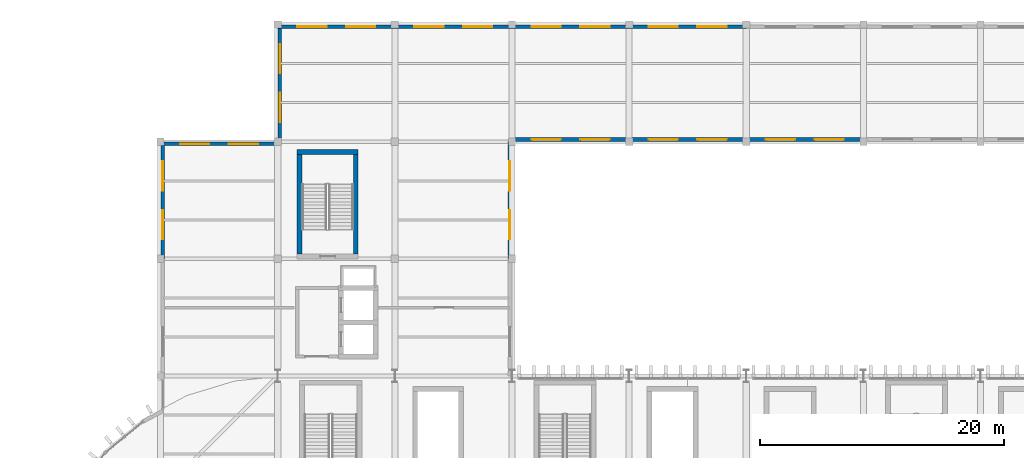
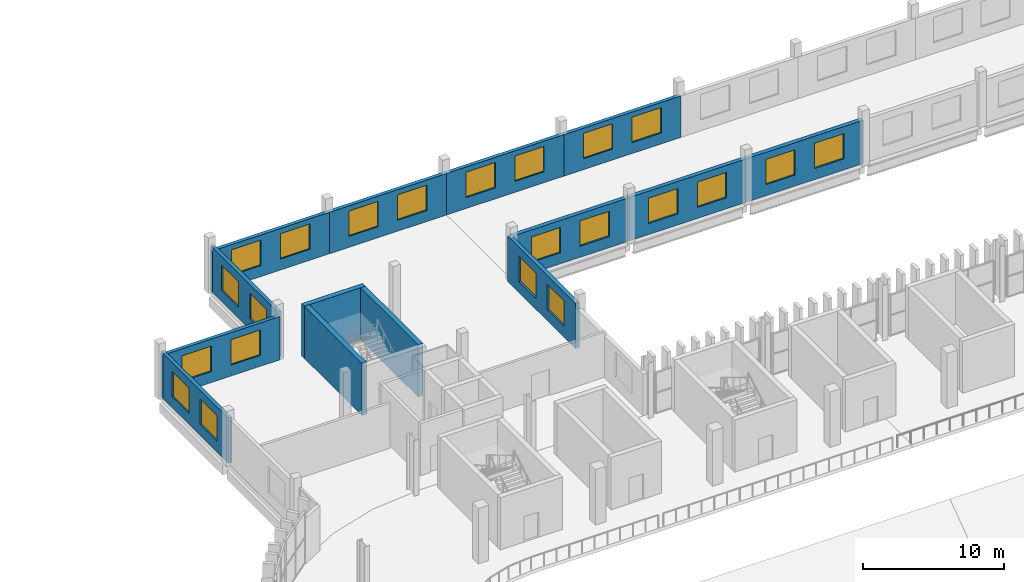
# One storey, part 67 of 99: 22 windows, 14 walls, 22 openings.
"""IFC4 building model written with IfcOpenShell, lengths in metres."""

from ifc_helpers import new_model, si_unit, direction, frame, frame_2d, origin, place, context, subcontext, project, spatial, rectangle, extrude, material, layer, layer_set, type_object, element, fill, save


model = new_model("IFC4")

# Units and contexts
model_context = context("Model", 3, precision=1e-05, world=origin(), true_north=direction((0.0, 1.0)))
body_context = subcontext(model_context, "Body", "Model", "MODEL_VIEW")
ifc_project = project(units=[si_unit("LENGTHUNIT", "METRE"), si_unit("AREAUNIT", "SQUARE_METRE"), si_unit("VOLUMEUNIT", "CUBIC_METRE"), si_unit("PLANEANGLEUNIT", "RADIAN"), si_unit("MASSUNIT", "GRAM", prefix="KILO")], contexts=[model_context])

# Site, building, storey
site_placement = place(None, origin())
site = spatial("IfcSite", under=ifc_project, at=site_placement, CompositionType="ELEMENT")
building_placement = place(site_placement, origin())
building = spatial("IfcBuilding", under=site, at=building_placement, Name="Caelomonte Colonnade Arena", CompositionType="ELEMENT")
storey_placement = place(building_placement, frame((0.0, 0.0, 4.800048828125)))
storey = spatial("IfcBuildingStorey", under=building, at=storey_placement, Name="L01", CompositionType="ELEMENT", Elevation=4.800048828125)

# Wall, openings, windows
ifc_material_1 = material(Name="Precast concrete C40/50", Category="concrete")
ifc_layer_1 = layer(ifc_material_1, 0.2900390625)
ifc_layer_set_1 = layer_set([ifc_layer_1], Name="Precast concrete C40/50")
wall_type_1 = type_object("IfcWallType", Name="ENV-WL-EXT29", PredefinedType="SOLIDWALL", material=ifc_layer_set_1)
wall_1_placement = place(storey_placement, frame((115.199951171875, 143.820068359375, 0.0), z_axis=(0.0, 0.0, 1.0), x_axis=(-1.0, 0.0, 0.0)))
wall_1 = element("IfcWall", 1, at=wall_1_placement, inside=storey, type_object=wall_type_1, Name="L01 exterior wall EW-L01-0214", PredefinedType="SOLIDWALL", context=body_context, shape_type="SweptSolid", body=[
    extrude(rectangle(XDim=9.599853515625, YDim=0.2900390625, at=frame_2d((4.7998046875, 0.0))), origin(), (0.0, 0.0, 1.0), 3.593017578125),
])
opening_1_placement = place(wall_1_placement, frame((4.0, 0.0, 0.949951171875), z_axis=(0.0, 0.0, 1.0), x_axis=(-1.0, 0.0, 0.0)))
opening_1 = element("IfcOpeningElement", 2, at=opening_1_placement, cuts=wall_1, Name="Opening WN-04", PredefinedType="OPENING", context=body_context, shape_type="SweptSolid", body=[
    extrude(rectangle(XDim=2.39990234375, YDim=2.199951171875, at=frame_2d((1.199951171875, 1.10009765625))), frame((0.0, 0.155029296875, 0.0), z_axis=(0.0, -1.0, 0.0), x_axis=(1.0, 0.0, 0.0)), (0.0, 0.0, 1.0), 0.31005859375),
])
opening_2_placement = place(wall_1_placement, frame((8.0, 0.0, 0.949951171875), z_axis=(0.0, 0.0, 1.0), x_axis=(-1.0, 0.0, 0.0)))
opening_2 = element("IfcOpeningElement", 3, at=opening_2_placement, cuts=wall_1, Name="Opening WN-04", PredefinedType="OPENING", context=body_context, shape_type="SweptSolid", body=[
    extrude(rectangle(XDim=2.39990234375, YDim=2.199951171875, at=frame_2d((1.199951171875, 1.10009765625))), frame((0.0, 0.155029296875, 0.0), z_axis=(0.0, -1.0, 0.0), x_axis=(1.0, 0.0, 0.0)), (0.0, 0.0, 1.0), 0.31005859375),
])
ifc_material_2 = material(Name="Solar-control bronze low-E double glazing", Category="glass")
window_type = type_object("IfcWindowType", Name="ENV-WN-V4A", PartitioningType="DOUBLE_PANEL_VERTICAL", PredefinedType="WINDOW", material=ifc_material_2)
window_1_placement = place(opening_1_placement, origin())
window_1 = element("IfcWindow", 4, at=window_1_placement, inside=storey, type_object=window_type, Name="L01 facade window 124", OverallHeight=2.199951171875, OverallWidth=2.39990234375, PartitioningType="SINGLE_PANEL", PredefinedType="WINDOW", context=body_context, shape_type="SweptSolid", body=[
    extrude(rectangle(XDim=2.39990234375, YDim=2.199951171875, at=frame_2d((1.199951171875, 1.10009765625))), frame((0.0, 0.030029296875, 0.0), z_axis=(0.0, -1.0, 0.0), x_axis=(1.0, 0.0, 0.0)), (0.0, 0.0, 1.0), 0.06005859375),
])
fill(opening_1, window_1)
window_2_placement = place(opening_2_placement, origin())
window_2 = element("IfcWindow", 5, at=window_2_placement, inside=storey, type_object=window_type, Name="L01 facade window 125", OverallHeight=2.199951171875, OverallWidth=2.39990234375, PartitioningType="SINGLE_PANEL", PredefinedType="WINDOW", context=body_context, shape_type="SweptSolid", body=[
    extrude(rectangle(XDim=2.39990234375, YDim=2.199951171875, at=frame_2d((1.199951171875, 1.10009765625))), frame((0.0, 0.030029296875, 0.0), z_axis=(0.0, -1.0, 0.0), x_axis=(1.0, 0.0, 0.0)), (0.0, 0.0, 1.0), 0.06005859375),
])
fill(opening_2, window_2)

wall_2_placement = place(storey_placement, frame((105.60009765625, 143.820068359375, 0.0), z_axis=(0.0, 0.0, 1.0), x_axis=(-1.0, 0.0, 0.0)))
wall_2 = element("IfcWall", 6, at=wall_2_placement, inside=storey, type_object=wall_type_1, Name="L01 exterior wall EW-L01-0215", PredefinedType="SOLIDWALL", context=body_context, shape_type="SweptSolid", body=[
    extrude(rectangle(XDim=9.60009765625, YDim=0.2900390625, at=frame_2d((4.800048828125, 0.0))), origin(), (0.0, 0.0, 1.0), 3.593017578125),
])
opening_3_placement = place(wall_2_placement, frame((4.0, 0.0, 0.949951171875), z_axis=(0.0, 0.0, 1.0), x_axis=(-1.0, 0.0, 0.0)))
opening_3 = element("IfcOpeningElement", 7, at=opening_3_placement, cuts=wall_2, Name="Opening WN-04", PredefinedType="OPENING", context=body_context, shape_type="SweptSolid", body=[
    extrude(rectangle(XDim=2.39990234375, YDim=2.199951171875, at=frame_2d((1.199951171875, 1.10009765625))), frame((0.0, 0.155029296875, 0.0), z_axis=(0.0, -1.0, 0.0), x_axis=(1.0, 0.0, 0.0)), (0.0, 0.0, 1.0), 0.31005859375),
])
opening_4_placement = place(wall_2_placement, frame((8.0, 0.0, 0.949951171875), z_axis=(0.0, 0.0, 1.0), x_axis=(-1.0, 0.0, 0.0)))
opening_4 = element("IfcOpeningElement", 8, at=opening_4_placement, cuts=wall_2, Name="Opening WN-04", PredefinedType="OPENING", context=body_context, shape_type="SweptSolid", body=[
    extrude(rectangle(XDim=2.39990234375, YDim=2.199951171875, at=frame_2d((1.199951171875, 1.10009765625))), frame((0.0, 0.155029296875, 0.0), z_axis=(0.0, -1.0, 0.0), x_axis=(1.0, 0.0, 0.0)), (0.0, 0.0, 1.0), 0.31005859375),
])
window_3_placement = place(opening_3_placement, origin())
window_3 = element("IfcWindow", 9, at=window_3_placement, inside=storey, type_object=window_type, Name="L01 facade window 126", OverallHeight=2.199951171875, OverallWidth=2.39990234375, PartitioningType="SINGLE_PANEL", PredefinedType="WINDOW", context=body_context, shape_type="SweptSolid", body=[
    extrude(rectangle(XDim=2.39990234375, YDim=2.199951171875, at=frame_2d((1.199951171875, 1.10009765625))), frame((0.0, 0.030029296875, 0.0), z_axis=(0.0, -1.0, 0.0), x_axis=(1.0, 0.0, 0.0)), (0.0, 0.0, 1.0), 0.06005859375),
])
fill(opening_3, window_3)
window_4_placement = place(opening_4_placement, origin())
window_4 = element("IfcWindow", 10, at=window_4_placement, inside=storey, type_object=window_type, Name="L01 facade window 127", OverallHeight=2.199951171875, OverallWidth=2.39990234375, PartitioningType="SINGLE_PANEL", PredefinedType="WINDOW", context=body_context, shape_type="SweptSolid", body=[
    extrude(rectangle(XDim=2.39990234375, YDim=2.199951171875, at=frame_2d((1.199951171875, 1.10009765625))), frame((0.0, 0.030029296875, 0.0), z_axis=(0.0, -1.0, 0.0), x_axis=(1.0, 0.0, 0.0)), (0.0, 0.0, 1.0), 0.06005859375),
])
fill(opening_4, window_4)

wall_3_placement = place(storey_placement, frame((96.0, 143.820068359375, 0.0), z_axis=(0.0, 0.0, 1.0), x_axis=(-1.0, 0.0, 0.0)))
wall_3 = element("IfcWall", 11, at=wall_3_placement, inside=storey, type_object=wall_type_1, Name="L01 exterior wall EW-L01-0216", PredefinedType="SOLIDWALL", context=body_context, shape_type="SweptSolid", body=[
    extrude(rectangle(XDim=9.60009765625, YDim=0.2900390625, at=frame_2d((4.800048828125, 0.0))), origin(), (0.0, 0.0, 1.0), 3.593017578125),
])
opening_5_placement = place(wall_3_placement, frame((4.0, 0.0, 0.949951171875), z_axis=(0.0, 0.0, 1.0), x_axis=(-1.0, 0.0, 0.0)))
opening_5 = element("IfcOpeningElement", 12, at=opening_5_placement, cuts=wall_3, Name="Opening WN-04", PredefinedType="OPENING", context=body_context, shape_type="SweptSolid", body=[
    extrude(rectangle(XDim=2.39990234375, YDim=2.199951171875, at=frame_2d((1.199951171875, 1.10009765625))), frame((0.0, 0.155029296875, 0.0), z_axis=(0.0, -1.0, 0.0), x_axis=(1.0, 0.0, 0.0)), (0.0, 0.0, 1.0), 0.31005859375),
])
opening_6_placement = place(wall_3_placement, frame((8.0, 0.0, 0.949951171875), z_axis=(0.0, 0.0, 1.0), x_axis=(-1.0, 0.0, 0.0)))
opening_6 = element("IfcOpeningElement", 13, at=opening_6_placement, cuts=wall_3, Name="Opening WN-04", PredefinedType="OPENING", context=body_context, shape_type="SweptSolid", body=[
    extrude(rectangle(XDim=2.39990234375, YDim=2.199951171875, at=frame_2d((1.199951171875, 1.10009765625))), frame((0.0, 0.155029296875, 0.0), z_axis=(0.0, -1.0, 0.0), x_axis=(1.0, 0.0, 0.0)), (0.0, 0.0, 1.0), 0.31005859375),
])
window_5_placement = place(opening_5_placement, origin())
window_5 = element("IfcWindow", 14, at=window_5_placement, inside=storey, type_object=window_type, Name="L01 facade window 128", OverallHeight=2.199951171875, OverallWidth=2.39990234375, PartitioningType="SINGLE_PANEL", PredefinedType="WINDOW", context=body_context, shape_type="SweptSolid", body=[
    extrude(rectangle(XDim=2.39990234375, YDim=2.199951171875, at=frame_2d((1.199951171875, 1.10009765625))), frame((0.0, 0.030029296875, 0.0), z_axis=(0.0, -1.0, 0.0), x_axis=(1.0, 0.0, 0.0)), (0.0, 0.0, 1.0), 0.06005859375),
])
fill(opening_5, window_5)
window_6_placement = place(opening_6_placement, origin())
window_6 = element("IfcWindow", 15, at=window_6_placement, inside=storey, type_object=window_type, Name="L01 facade window 129", OverallHeight=2.199951171875, OverallWidth=2.39990234375, PartitioningType="SINGLE_PANEL", PredefinedType="WINDOW", context=body_context, shape_type="SweptSolid", body=[
    extrude(rectangle(XDim=2.39990234375, YDim=2.199951171875, at=frame_2d((1.199951171875, 1.10009765625))), frame((0.0, 0.030029296875, 0.0), z_axis=(0.0, -1.0, 0.0), x_axis=(1.0, 0.0, 0.0)), (0.0, 0.0, 1.0), 0.06005859375),
])
fill(opening_6, window_6)

wall_4_placement = place(storey_placement, frame((86.39990234375, 143.820068359375, 0.0), z_axis=(0.0, 0.0, 1.0), x_axis=(-1.0, 0.0, 0.0)))
wall_4 = element("IfcWall", 16, at=wall_4_placement, inside=storey, type_object=wall_type_1, Name="L01 exterior wall EW-L01-0217", PredefinedType="SOLIDWALL", context=body_context, shape_type="SweptSolid", body=[
    extrude(rectangle(XDim=9.599853515625, YDim=0.2900390625, at=frame_2d((4.7998046875, 0.0))), origin(), (0.0, 0.0, 1.0), 3.593017578125),
])
opening_7_placement = place(wall_4_placement, frame((4.0, 0.0, 0.949951171875), z_axis=(0.0, 0.0, 1.0), x_axis=(-1.0, 0.0, 0.0)))
opening_7 = element("IfcOpeningElement", 17, at=opening_7_placement, cuts=wall_4, Name="Opening WN-04", PredefinedType="OPENING", context=body_context, shape_type="SweptSolid", body=[
    extrude(rectangle(XDim=2.39990234375, YDim=2.199951171875, at=frame_2d((1.199951171875, 1.10009765625))), frame((0.0, 0.155029296875, 0.0), z_axis=(0.0, -1.0, 0.0), x_axis=(1.0, 0.0, 0.0)), (0.0, 0.0, 1.0), 0.31005859375),
])
opening_8_placement = place(wall_4_placement, frame((8.0, 0.0, 0.949951171875), z_axis=(0.0, 0.0, 1.0), x_axis=(-1.0, 0.0, 0.0)))
opening_8 = element("IfcOpeningElement", 18, at=opening_8_placement, cuts=wall_4, Name="Opening WN-04", PredefinedType="OPENING", context=body_context, shape_type="SweptSolid", body=[
    extrude(rectangle(XDim=2.39990234375, YDim=2.199951171875, at=frame_2d((1.199951171875, 1.10009765625))), frame((0.0, 0.155029296875, 0.0), z_axis=(0.0, -1.0, 0.0), x_axis=(1.0, 0.0, 0.0)), (0.0, 0.0, 1.0), 0.31005859375),
])
window_7_placement = place(opening_7_placement, origin())
window_7 = element("IfcWindow", 19, at=window_7_placement, inside=storey, type_object=window_type, Name="L01 facade window 130", OverallHeight=2.199951171875, OverallWidth=2.39990234375, PartitioningType="SINGLE_PANEL", PredefinedType="WINDOW", context=body_context, shape_type="SweptSolid", body=[
    extrude(rectangle(XDim=2.39990234375, YDim=2.199951171875, at=frame_2d((1.199951171875, 1.10009765625))), frame((0.0, 0.030029296875, 0.0), z_axis=(0.0, -1.0, 0.0), x_axis=(1.0, 0.0, 0.0)), (0.0, 0.0, 1.0), 0.06005859375),
])
fill(opening_7, window_7)
window_8_placement = place(opening_8_placement, origin())
window_8 = element("IfcWindow", 20, at=window_8_placement, inside=storey, type_object=window_type, Name="L01 facade window 131", OverallHeight=2.199951171875, OverallWidth=2.39990234375, PartitioningType="SINGLE_PANEL", PredefinedType="WINDOW", context=body_context, shape_type="SweptSolid", body=[
    extrude(rectangle(XDim=2.39990234375, YDim=2.199951171875, at=frame_2d((1.199951171875, 1.10009765625))), frame((0.0, 0.030029296875, 0.0), z_axis=(0.0, -1.0, 0.0), x_axis=(1.0, 0.0, 0.0)), (0.0, 0.0, 1.0), 0.06005859375),
])
fill(opening_8, window_8)

wall_5_placement = place(storey_placement, frame((76.97998046875, 144.0, 0.0), z_axis=(0.0, 0.0, 1.0), x_axis=(0.0, -1.0, 0.0)))
wall_5 = element("IfcWall", 21, at=wall_5_placement, inside=storey, type_object=wall_type_1, Name="L01 exterior wall EW-L01-0218", PredefinedType="SOLIDWALL", context=body_context, shape_type="SweptSolid", body=[
    extrude(rectangle(XDim=9.60009765625, YDim=0.2900390625, at=frame_2d((4.800048828125, 0.0))), origin(), (0.0, 0.0, 1.0), 3.912841796875),
])
opening_9_placement = place(wall_5_placement, frame((4.0, 0.0, 0.949951171875), z_axis=(0.0, 0.0, 1.0), x_axis=(-1.0, 0.0, 0.0)))
opening_9 = element("IfcOpeningElement", 22, at=opening_9_placement, cuts=wall_5, Name="Opening WN-04", PredefinedType="OPENING", context=body_context, shape_type="SweptSolid", body=[
    extrude(rectangle(XDim=2.39990234375, YDim=2.199951171875, at=frame_2d((1.199951171875, 1.10009765625))), frame((0.0, 0.155029296875, 0.0), z_axis=(0.0, -1.0, 0.0), x_axis=(1.0, 0.0, 0.0)), (0.0, 0.0, 1.0), 0.31005859375),
])
opening_10_placement = place(wall_5_placement, frame((8.0, 0.0, 0.949951171875), z_axis=(0.0, 0.0, 1.0), x_axis=(-1.0, 0.0, 0.0)))
opening_10 = element("IfcOpeningElement", 23, at=opening_10_placement, cuts=wall_5, Name="Opening WN-04", PredefinedType="OPENING", context=body_context, shape_type="SweptSolid", body=[
    extrude(rectangle(XDim=2.39990234375, YDim=2.199951171875, at=frame_2d((1.199951171875, 1.10009765625))), frame((0.0, 0.155029296875, 0.0), z_axis=(0.0, -1.0, 0.0), x_axis=(1.0, 0.0, 0.0)), (0.0, 0.0, 1.0), 0.31005859375),
])
window_9_placement = place(opening_9_placement, origin())
window_9 = element("IfcWindow", 24, at=window_9_placement, inside=storey, type_object=window_type, Name="L01 facade window 132", OverallHeight=2.199951171875, OverallWidth=2.39990234375, PartitioningType="SINGLE_PANEL", PredefinedType="WINDOW", context=body_context, shape_type="SweptSolid", body=[
    extrude(rectangle(XDim=2.39990234375, YDim=2.199951171875, at=frame_2d((1.199951171875, 1.10009765625))), frame((0.0, 0.030029296875, 0.0), z_axis=(0.0, -1.0, 0.0), x_axis=(1.0, 0.0, 0.0)), (0.0, 0.0, 1.0), 0.06005859375),
])
fill(opening_9, window_9)
window_10_placement = place(opening_10_placement, origin())
window_10 = element("IfcWindow", 25, at=window_10_placement, inside=storey, type_object=window_type, Name="L01 facade window 133", OverallHeight=2.199951171875, OverallWidth=2.39990234375, PartitioningType="SINGLE_PANEL", PredefinedType="WINDOW", context=body_context, shape_type="SweptSolid", body=[
    extrude(rectangle(XDim=2.39990234375, YDim=2.199951171875, at=frame_2d((1.199951171875, 1.10009765625))), frame((0.0, 0.030029296875, 0.0), z_axis=(0.0, -1.0, 0.0), x_axis=(1.0, 0.0, 0.0)), (0.0, 0.0, 1.0), 0.06005859375),
])
fill(opening_10, window_10)

wall_6_placement = place(storey_placement, frame((76.800048828125, 134.219970703125, 0.0), z_axis=(0.0, 0.0, 1.0), x_axis=(-1.0, 0.0, 0.0)))
wall_6 = element("IfcWall", 26, at=wall_6_placement, inside=storey, type_object=wall_type_1, Name="L01 exterior wall EW-L01-0219", PredefinedType="SOLIDWALL", context=body_context, shape_type="SweptSolid", body=[
    extrude(rectangle(XDim=9.60009765625, YDim=0.2900390625, at=frame_2d((4.800048828125, 0.0))), origin(), (0.0, 0.0, 1.0), 3.758056640625),
])
opening_11_placement = place(wall_6_placement, frame((4.0, 0.0, 0.949951171875), z_axis=(0.0, 0.0, 1.0), x_axis=(-1.0, 0.0, 0.0)))
opening_11 = element("IfcOpeningElement", 27, at=opening_11_placement, cuts=wall_6, Name="Opening WN-04", PredefinedType="OPENING", context=body_context, shape_type="SweptSolid", body=[
    extrude(rectangle(XDim=2.39990234375, YDim=2.199951171875, at=frame_2d((1.199951171875, 1.10009765625))), frame((0.0, 0.155029296875, 0.0), z_axis=(0.0, -1.0, 0.0), x_axis=(1.0, 0.0, 0.0)), (0.0, 0.0, 1.0), 0.31005859375),
])
opening_12_placement = place(wall_6_placement, frame((8.0, 0.0, 0.949951171875), z_axis=(0.0, 0.0, 1.0), x_axis=(-1.0, 0.0, 0.0)))
opening_12 = element("IfcOpeningElement", 28, at=opening_12_placement, cuts=wall_6, Name="Opening WN-04", PredefinedType="OPENING", context=body_context, shape_type="SweptSolid", body=[
    extrude(rectangle(XDim=2.39990234375, YDim=2.199951171875, at=frame_2d((1.199951171875, 1.10009765625))), frame((0.0, 0.155029296875, 0.0), z_axis=(0.0, -1.0, 0.0), x_axis=(1.0, 0.0, 0.0)), (0.0, 0.0, 1.0), 0.31005859375),
])
window_11_placement = place(opening_11_placement, origin())
window_11 = element("IfcWindow", 29, at=window_11_placement, inside=storey, type_object=window_type, Name="L01 facade window 134", OverallHeight=2.199951171875, OverallWidth=2.39990234375, PartitioningType="SINGLE_PANEL", PredefinedType="WINDOW", context=body_context, shape_type="SweptSolid", body=[
    extrude(rectangle(XDim=2.39990234375, YDim=2.199951171875, at=frame_2d((1.199951171875, 1.10009765625))), frame((0.0, 0.030029296875, 0.0), z_axis=(0.0, -1.0, 0.0), x_axis=(1.0, 0.0, 0.0)), (0.0, 0.0, 1.0), 0.06005859375),
])
fill(opening_11, window_11)
window_12_placement = place(opening_12_placement, origin())
window_12 = element("IfcWindow", 30, at=window_12_placement, inside=storey, type_object=window_type, Name="L01 facade window 135", OverallHeight=2.199951171875, OverallWidth=2.39990234375, PartitioningType="SINGLE_PANEL", PredefinedType="WINDOW", context=body_context, shape_type="SweptSolid", body=[
    extrude(rectangle(XDim=2.39990234375, YDim=2.199951171875, at=frame_2d((1.199951171875, 1.10009765625))), frame((0.0, 0.030029296875, 0.0), z_axis=(0.0, -1.0, 0.0), x_axis=(1.0, 0.0, 0.0)), (0.0, 0.0, 1.0), 0.06005859375),
])
fill(opening_12, window_12)

wall_7_placement = place(storey_placement, frame((67.3798828125, 134.39990234375, 0.0), z_axis=(0.0, 0.0, 1.0), x_axis=(0.0, -1.0, 0.0)))
wall_7 = element("IfcWall", 31, at=wall_7_placement, inside=storey, type_object=wall_type_1, Name="L01 exterior wall EW-L01-0220", PredefinedType="SOLIDWALL", context=body_context, shape_type="SweptSolid", body=[
    extrude(rectangle(XDim=9.599853515625, YDim=0.2900390625, at=frame_2d((4.7998046875, 0.0))), origin(), (0.0, 0.0, 1.0), 3.912841796875),
])
opening_13_placement = place(wall_7_placement, frame((4.0, 0.0, 0.949951171875), z_axis=(0.0, 0.0, 1.0), x_axis=(-1.0, 0.0, 0.0)))
opening_13 = element("IfcOpeningElement", 32, at=opening_13_placement, cuts=wall_7, Name="Opening WN-04", PredefinedType="OPENING", context=body_context, shape_type="SweptSolid", body=[
    extrude(rectangle(XDim=2.39990234375, YDim=2.199951171875, at=frame_2d((1.199951171875, 1.10009765625))), frame((0.0, 0.155029296875, 0.0), z_axis=(0.0, -1.0, 0.0), x_axis=(1.0, 0.0, 0.0)), (0.0, 0.0, 1.0), 0.31005859375),
])
opening_14_placement = place(wall_7_placement, frame((8.0, 0.0, 0.949951171875), z_axis=(0.0, 0.0, 1.0), x_axis=(-1.0, 0.0, 0.0)))
opening_14 = element("IfcOpeningElement", 33, at=opening_14_placement, cuts=wall_7, Name="Opening WN-04", PredefinedType="OPENING", context=body_context, shape_type="SweptSolid", body=[
    extrude(rectangle(XDim=2.39990234375, YDim=2.199951171875, at=frame_2d((1.199951171875, 1.10009765625))), frame((0.0, 0.155029296875, 0.0), z_axis=(0.0, -1.0, 0.0), x_axis=(1.0, 0.0, 0.0)), (0.0, 0.0, 1.0), 0.31005859375),
])
window_13_placement = place(opening_13_placement, origin())
window_13 = element("IfcWindow", 34, at=window_13_placement, inside=storey, type_object=window_type, Name="L01 facade window 136", OverallHeight=2.199951171875, OverallWidth=2.39990234375, PartitioningType="SINGLE_PANEL", PredefinedType="WINDOW", context=body_context, shape_type="SweptSolid", body=[
    extrude(rectangle(XDim=2.39990234375, YDim=2.199951171875, at=frame_2d((1.199951171875, 1.10009765625))), frame((0.0, 0.030029296875, 0.0), z_axis=(0.0, -1.0, 0.0), x_axis=(1.0, 0.0, 0.0)), (0.0, 0.0, 1.0), 0.06005859375),
])
fill(opening_13, window_13)
window_14_placement = place(opening_14_placement, origin())
window_14 = element("IfcWindow", 35, at=window_14_placement, inside=storey, type_object=window_type, Name="L01 facade window 137", OverallHeight=2.199951171875, OverallWidth=2.39990234375, PartitioningType="SINGLE_PANEL", PredefinedType="WINDOW", context=body_context, shape_type="SweptSolid", body=[
    extrude(rectangle(XDim=2.39990234375, YDim=2.199951171875, at=frame_2d((1.199951171875, 1.10009765625))), frame((0.0, 0.030029296875, 0.0), z_axis=(0.0, -1.0, 0.0), x_axis=(1.0, 0.0, 0.0)), (0.0, 0.0, 1.0), 0.06005859375),
])
fill(opening_14, window_14)

ifc_layer_2 = layer(ifc_material_1, 0.330078125)
ifc_layer_set_2 = layer_set([ifc_layer_2], Name="Precast concrete C40/50")
wall_type_2 = type_object("IfcWallType", Name="ENV-WL-EXT33", PredefinedType="SOLIDWALL", material=ifc_layer_set_2)
wall_8_placement = place(storey_placement, frame((96.0, 134.580078125, 0.0), z_axis=(0.0, 0.0, 1.0), x_axis=(1.0, 0.0, 0.0)))
wall_8 = element("IfcWall", 36, at=wall_8_placement, inside=storey, type_object=wall_type_2, Name="L01 exterior wall EW-L01-0228", PredefinedType="SOLIDWALL", context=body_context, shape_type="SweptSolid", body=[
    extrude(rectangle(XDim=9.60009765625, YDim=0.330078125, at=frame_2d((4.800048828125, 0.0))), origin(), (0.0, 0.0, 1.0), 3.758056640625),
])
opening_15_placement = place(wall_8_placement, frame((4.0, 0.0, 0.949951171875), z_axis=(0.0, 0.0, 1.0), x_axis=(-1.0, 0.0, 0.0)))
opening_15 = element("IfcOpeningElement", 37, at=opening_15_placement, cuts=wall_8, Name="Opening WN-04", PredefinedType="OPENING", context=body_context, shape_type="SweptSolid", body=[
    extrude(rectangle(XDim=2.39990234375, YDim=2.199951171875, at=frame_2d((1.199951171875, 1.10009765625))), frame((0.0, 0.175048828125, 0.0), z_axis=(0.0, -1.0, 0.0), x_axis=(1.0, 0.0, 0.0)), (0.0, 0.0, 1.0), 0.35009765625),
])
opening_16_placement = place(wall_8_placement, frame((8.0, 0.0, 0.949951171875), z_axis=(0.0, 0.0, 1.0), x_axis=(-1.0, 0.0, 0.0)))
opening_16 = element("IfcOpeningElement", 38, at=opening_16_placement, cuts=wall_8, Name="Opening WN-04", PredefinedType="OPENING", context=body_context, shape_type="SweptSolid", body=[
    extrude(rectangle(XDim=2.39990234375, YDim=2.199951171875, at=frame_2d((1.199951171875, 1.10009765625))), frame((0.0, 0.175048828125, 0.0), z_axis=(0.0, -1.0, 0.0), x_axis=(1.0, 0.0, 0.0)), (0.0, 0.0, 1.0), 0.35009765625),
])
window_15_placement = place(opening_15_placement, origin())
window_15 = element("IfcWindow", 39, at=window_15_placement, inside=storey, type_object=window_type, Name="L01 facade window 139", OverallHeight=2.199951171875, OverallWidth=2.39990234375, PartitioningType="SINGLE_PANEL", PredefinedType="WINDOW", context=body_context, shape_type="SweptSolid", body=[
    extrude(rectangle(XDim=2.39990234375, YDim=2.199951171875, at=frame_2d((1.199951171875, 1.10009765625))), frame((0.0, 0.030029296875, 0.0), z_axis=(0.0, -1.0, 0.0), x_axis=(1.0, 0.0, 0.0)), (0.0, 0.0, 1.0), 0.06005859375),
])
fill(opening_15, window_15)
window_16_placement = place(opening_16_placement, origin())
window_16 = element("IfcWindow", 40, at=window_16_placement, inside=storey, type_object=window_type, Name="L01 facade window 140", OverallHeight=2.199951171875, OverallWidth=2.39990234375, PartitioningType="SINGLE_PANEL", PredefinedType="WINDOW", context=body_context, shape_type="SweptSolid", body=[
    extrude(rectangle(XDim=2.39990234375, YDim=2.199951171875, at=frame_2d((1.199951171875, 1.10009765625))), frame((0.0, 0.030029296875, 0.0), z_axis=(0.0, -1.0, 0.0), x_axis=(1.0, 0.0, 0.0)), (0.0, 0.0, 1.0), 0.06005859375),
])
fill(opening_16, window_16)

wall_9_placement = place(storey_placement, frame((105.60009765625, 134.580078125, 0.0), z_axis=(0.0, 0.0, 1.0), x_axis=(1.0, 0.0, 0.0)))
wall_9 = element("IfcWall", 41, at=wall_9_placement, inside=storey, type_object=wall_type_2, Name="L01 exterior wall EW-L01-0229", PredefinedType="SOLIDWALL", context=body_context, shape_type="SweptSolid", body=[
    extrude(rectangle(XDim=9.599853515625, YDim=0.330078125, at=frame_2d((4.7998046875, 0.0))), origin(), (0.0, 0.0, 1.0), 3.758056640625),
])
opening_17_placement = place(wall_9_placement, frame((4.0, 0.0, 0.949951171875), z_axis=(0.0, 0.0, 1.0), x_axis=(-1.0, 0.0, 0.0)))
opening_17 = element("IfcOpeningElement", 42, at=opening_17_placement, cuts=wall_9, Name="Opening WN-04", PredefinedType="OPENING", context=body_context, shape_type="SweptSolid", body=[
    extrude(rectangle(XDim=2.39990234375, YDim=2.199951171875, at=frame_2d((1.199951171875, 1.10009765625))), frame((0.0, 0.175048828125, 0.0), z_axis=(0.0, -1.0, 0.0), x_axis=(1.0, 0.0, 0.0)), (0.0, 0.0, 1.0), 0.35009765625),
])
opening_18_placement = place(wall_9_placement, frame((8.0, 0.0, 0.949951171875), z_axis=(0.0, 0.0, 1.0), x_axis=(-1.0, 0.0, 0.0)))
opening_18 = element("IfcOpeningElement", 43, at=opening_18_placement, cuts=wall_9, Name="Opening WN-04", PredefinedType="OPENING", context=body_context, shape_type="SweptSolid", body=[
    extrude(rectangle(XDim=2.39990234375, YDim=2.199951171875, at=frame_2d((1.199951171875, 1.10009765625))), frame((0.0, 0.175048828125, 0.0), z_axis=(0.0, -1.0, 0.0), x_axis=(1.0, 0.0, 0.0)), (0.0, 0.0, 1.0), 0.35009765625),
])
window_17_placement = place(opening_17_placement, origin())
window_17 = element("IfcWindow", 44, at=window_17_placement, inside=storey, type_object=window_type, Name="L01 facade window 141", OverallHeight=2.199951171875, OverallWidth=2.39990234375, PartitioningType="SINGLE_PANEL", PredefinedType="WINDOW", context=body_context, shape_type="SweptSolid", body=[
    extrude(rectangle(XDim=2.39990234375, YDim=2.199951171875, at=frame_2d((1.199951171875, 1.10009765625))), frame((0.0, 0.030029296875, 0.0), z_axis=(0.0, -1.0, 0.0), x_axis=(1.0, 0.0, 0.0)), (0.0, 0.0, 1.0), 0.06005859375),
])
fill(opening_17, window_17)
window_18_placement = place(opening_18_placement, origin())
window_18 = element("IfcWindow", 45, at=window_18_placement, inside=storey, type_object=window_type, Name="L01 facade window 142", OverallHeight=2.199951171875, OverallWidth=2.39990234375, PartitioningType="SINGLE_PANEL", PredefinedType="WINDOW", context=body_context, shape_type="SweptSolid", body=[
    extrude(rectangle(XDim=2.39990234375, YDim=2.199951171875, at=frame_2d((1.199951171875, 1.10009765625))), frame((0.0, 0.030029296875, 0.0), z_axis=(0.0, -1.0, 0.0), x_axis=(1.0, 0.0, 0.0)), (0.0, 0.0, 1.0), 0.06005859375),
])
fill(opening_18, window_18)

wall_10_placement = place(storey_placement, frame((115.199951171875, 134.580078125, 0.0), z_axis=(0.0, 0.0, 1.0), x_axis=(1.0, 0.0, 0.0)))
wall_10 = element("IfcWall", 46, at=wall_10_placement, inside=storey, type_object=wall_type_2, Name="L01 exterior wall EW-L01-0230", PredefinedType="SOLIDWALL", context=body_context, shape_type="SweptSolid", body=[
    extrude(rectangle(XDim=9.60009765625, YDim=0.330078125, at=frame_2d((4.800048828125, 0.0))), origin(), (0.0, 0.0, 1.0), 3.758056640625),
])
opening_19_placement = place(wall_10_placement, frame((4.0, 0.0, 0.949951171875), z_axis=(0.0, 0.0, 1.0), x_axis=(-1.0, 0.0, 0.0)))
opening_19 = element("IfcOpeningElement", 47, at=opening_19_placement, cuts=wall_10, Name="Opening WN-04", PredefinedType="OPENING", context=body_context, shape_type="SweptSolid", body=[
    extrude(rectangle(XDim=2.39990234375, YDim=2.199951171875, at=frame_2d((1.199951171875, 1.10009765625))), frame((0.0, 0.175048828125, 0.0), z_axis=(0.0, -1.0, 0.0), x_axis=(1.0, 0.0, 0.0)), (0.0, 0.0, 1.0), 0.35009765625),
])
opening_20_placement = place(wall_10_placement, frame((8.0, 0.0, 0.949951171875), z_axis=(0.0, 0.0, 1.0), x_axis=(-1.0, 0.0, 0.0)))
opening_20 = element("IfcOpeningElement", 48, at=opening_20_placement, cuts=wall_10, Name="Opening WN-04", PredefinedType="OPENING", context=body_context, shape_type="SweptSolid", body=[
    extrude(rectangle(XDim=2.39990234375, YDim=2.199951171875, at=frame_2d((1.199951171875, 1.10009765625))), frame((0.0, 0.175048828125, 0.0), z_axis=(0.0, -1.0, 0.0), x_axis=(1.0, 0.0, 0.0)), (0.0, 0.0, 1.0), 0.35009765625),
])
window_19_placement = place(opening_19_placement, origin())
window_19 = element("IfcWindow", 49, at=window_19_placement, inside=storey, type_object=window_type, Name="L01 facade window 143", OverallHeight=2.199951171875, OverallWidth=2.39990234375, PartitioningType="SINGLE_PANEL", PredefinedType="WINDOW", context=body_context, shape_type="SweptSolid", body=[
    extrude(rectangle(XDim=2.39990234375, YDim=2.199951171875, at=frame_2d((1.199951171875, 1.10009765625))), frame((0.0, 0.030029296875, 0.0), z_axis=(0.0, -1.0, 0.0), x_axis=(1.0, 0.0, 0.0)), (0.0, 0.0, 1.0), 0.06005859375),
])
fill(opening_19, window_19)
window_20_placement = place(opening_20_placement, origin())
window_20 = element("IfcWindow", 50, at=window_20_placement, inside=storey, type_object=window_type, Name="L01 facade window 144", OverallHeight=2.199951171875, OverallWidth=2.39990234375, PartitioningType="SINGLE_PANEL", PredefinedType="WINDOW", context=body_context, shape_type="SweptSolid", body=[
    extrude(rectangle(XDim=2.39990234375, YDim=2.199951171875, at=frame_2d((1.199951171875, 1.10009765625))), frame((0.0, 0.030029296875, 0.0), z_axis=(0.0, -1.0, 0.0), x_axis=(1.0, 0.0, 0.0)), (0.0, 0.0, 1.0), 0.06005859375),
])
fill(opening_20, window_20)

wall_11_placement = place(storey_placement, frame((95.820068359375, 124.800048828125, 0.0), z_axis=(0.0, 0.0, 1.0), x_axis=(0.0, 1.0, 0.0)))
wall_11 = element("IfcWall", 51, at=wall_11_placement, inside=storey, type_object=wall_type_2, Name="L01 exterior wall EW-L01-0237", PredefinedType="SOLIDWALL", context=body_context, shape_type="SweptSolid", body=[
    extrude(rectangle(XDim=9.599853515625, YDim=0.330078125, at=frame_2d((4.7998046875, 0.0))), origin(), (0.0, 0.0, 1.0), 3.912841796875),
])
opening_21_placement = place(wall_11_placement, frame((4.0, 0.0, 0.949951171875), z_axis=(0.0, 0.0, 1.0), x_axis=(-1.0, 0.0, 0.0)))
opening_21 = element("IfcOpeningElement", 52, at=opening_21_placement, cuts=wall_11, Name="Opening WN-04", PredefinedType="OPENING", context=body_context, shape_type="SweptSolid", body=[
    extrude(rectangle(XDim=2.39990234375, YDim=2.199951171875, at=frame_2d((1.199951171875, 1.10009765625))), frame((0.0, 0.175048828125, 0.0), z_axis=(0.0, -1.0, 0.0), x_axis=(1.0, 0.0, 0.0)), (0.0, 0.0, 1.0), 0.35009765625),
])
opening_22_placement = place(wall_11_placement, frame((8.0, 0.0, 0.949951171875), z_axis=(0.0, 0.0, 1.0), x_axis=(-1.0, 0.0, 0.0)))
opening_22 = element("IfcOpeningElement", 53, at=opening_22_placement, cuts=wall_11, Name="Opening WN-04", PredefinedType="OPENING", context=body_context, shape_type="SweptSolid", body=[
    extrude(rectangle(XDim=2.39990234375, YDim=2.199951171875, at=frame_2d((1.199951171875, 1.10009765625))), frame((0.0, 0.175048828125, 0.0), z_axis=(0.0, -1.0, 0.0), x_axis=(1.0, 0.0, 0.0)), (0.0, 0.0, 1.0), 0.35009765625),
])
window_21_placement = place(opening_21_placement, origin())
window_21 = element("IfcWindow", 54, at=window_21_placement, inside=storey, type_object=window_type, Name="L01 facade window 154", OverallHeight=2.199951171875, OverallWidth=2.39990234375, PartitioningType="SINGLE_PANEL", PredefinedType="WINDOW", context=body_context, shape_type="SweptSolid", body=[
    extrude(rectangle(XDim=2.39990234375, YDim=2.199951171875, at=frame_2d((1.199951171875, 1.10009765625))), frame((0.0, 0.030029296875, 0.0), z_axis=(0.0, -1.0, 0.0), x_axis=(1.0, 0.0, 0.0)), (0.0, 0.0, 1.0), 0.06005859375),
])
fill(opening_21, window_21)
window_22_placement = place(opening_22_placement, origin())
window_22 = element("IfcWindow", 55, at=window_22_placement, inside=storey, type_object=window_type, Name="L01 facade window 155", OverallHeight=2.199951171875, OverallWidth=2.39990234375, PartitioningType="SINGLE_PANEL", PredefinedType="WINDOW", context=body_context, shape_type="SweptSolid", body=[
    extrude(rectangle(XDim=2.39990234375, YDim=2.199951171875, at=frame_2d((1.199951171875, 1.10009765625))), frame((0.0, 0.030029296875, 0.0), z_axis=(0.0, -1.0, 0.0), x_axis=(1.0, 0.0, 0.0)), (0.0, 0.0, 1.0), 0.06005859375),
])
fill(opening_22, window_22)

# Walls
ifc_material_3 = material(Name="Concrete C50/60", Category="concrete")
ifc_layer_3 = layer(ifc_material_3, 0.39990234375)
ifc_layer_set_3 = layer_set([ifc_layer_3], Name="Concrete C50/60")
wall_type_3 = type_object("IfcWallType", Name="INT-WL-SH40", PredefinedType="SHEAR", material=ifc_layer_set_3)
wall_12_placement = place(storey_placement, frame((83.39990234375, 133.550048828125, 0.0), z_axis=(0.0, 0.0, 1.0), x_axis=(-1.0, 0.0, 0.0)))
element("IfcWall", 56, at=wall_12_placement, inside=storey, type_object=wall_type_3, Name="CW-C7-ST L01 north enclosure wall", PredefinedType="SHEAR", context=body_context, shape_type="SweptSolid", body=[
    extrude(rectangle(XDim=5.0, YDim=0.39990234375, at=frame_2d((2.5, 0.0))), origin(), (0.0, 0.0, 1.0), 4.52001953125),
])
for number, where, z_axis, x_axis, name in (
    (57, (78.60009765625, 133.35009765625, 0.0), (0.0, 0.0, 1.0), (0.0, -1.0, 0.0), "CW-C7-ST L01 west enclosure wall"),
    (58, (83.199951171875, 125.199951171875, 0.0), (0.0, 0.0, 1.0), (0.0, 1.0, 0.0), "CW-C7-ST L01 east enclosure wall"),
):
    element("IfcWall", number, at=place(storey_placement, frame(where, z_axis=z_axis, x_axis=x_axis)), inside=storey, type_object=wall_type_3, Name=name, PredefinedType="SHEAR", context=body_context, shape_type="SweptSolid", body=[
        extrude(rectangle(XDim=8.150146484375, YDim=0.39990234375, at=frame_2d((4.0751953125, 0.0))), origin(), (0.0, 0.0, 1.0), 4.52001953125),
    ])

save(model, "model.ifc")
